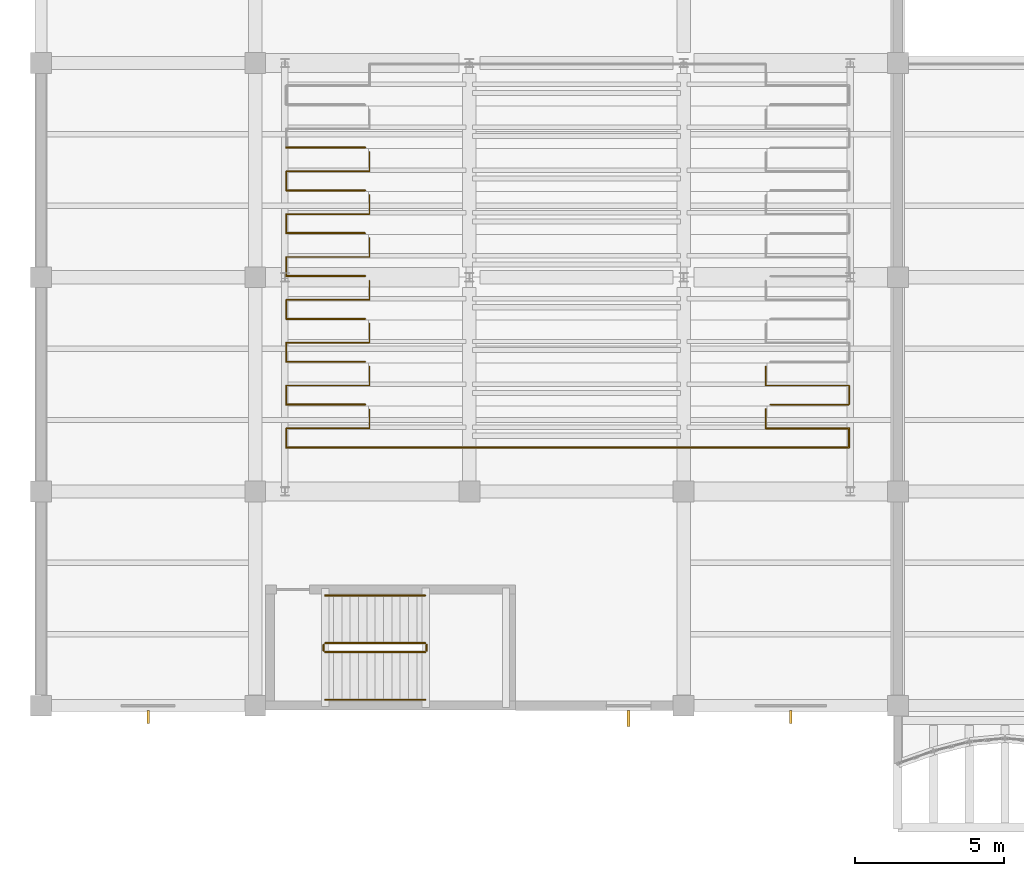
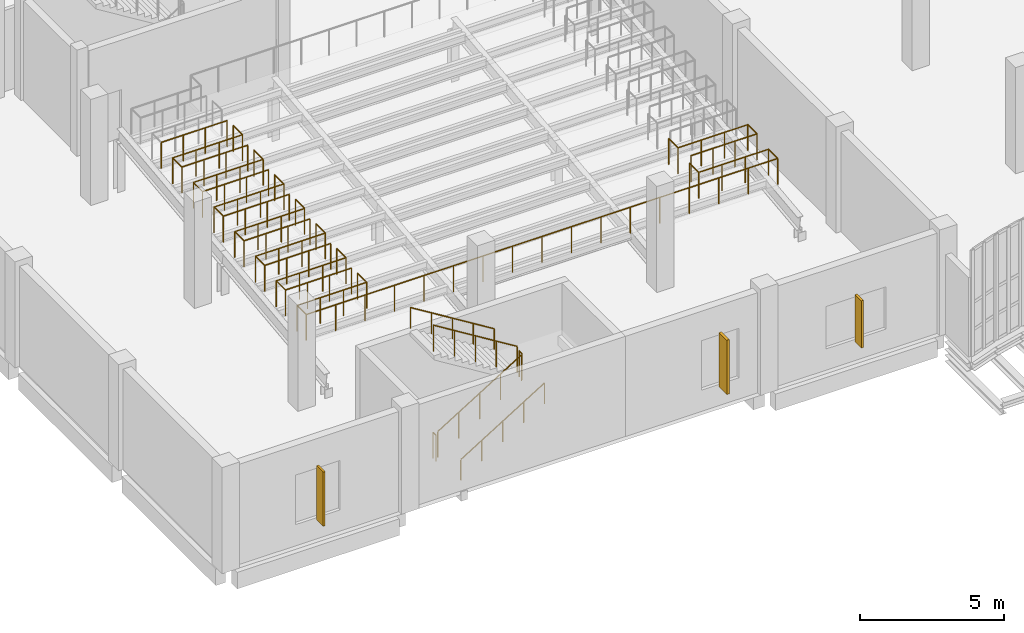
# One storey, part 95 of 108: 22 railings, 3 shading devices.
"""IFC4 building model written with IfcOpenShell, lengths in metres."""

from ifc_helpers import new_model, si_unit, direction, frame, origin, origin_2d, place, context, subcontext, project, spatial, rectangle, circle, extrude, material, type_object, element, save


model = new_model("IFC4")

# Units and contexts
model_context = context("Model", 3, precision=1e-05, world=origin(), true_north=direction((0.0, 1.0)))
body_context = subcontext(model_context, "Body", "Model", "MODEL_VIEW")
ifc_project = project(units=[si_unit("LENGTHUNIT", "METRE"), si_unit("AREAUNIT", "SQUARE_METRE"), si_unit("VOLUMEUNIT", "CUBIC_METRE"), si_unit("PLANEANGLEUNIT", "RADIAN"), si_unit("MASSUNIT", "GRAM", prefix="KILO"), si_unit("THERMODYNAMICTEMPERATUREUNIT", "KELVIN"), si_unit("POWERUNIT", "WATT")], contexts=[model_context])

# Site, building, storey
site_placement = place(None, origin())
site = spatial("IfcSite", under=ifc_project, at=site_placement, CompositionType="ELEMENT")
building_placement = place(site_placement, origin())
building = spatial("IfcBuilding", under=site, at=building_placement, Name="Kaldorven Railside Theatre", CompositionType="ELEMENT")
storey_placement = place(building_placement, frame((0.0, 0.0, 5.39990234375)))
storey = spatial("IfcBuildingStorey", under=building, at=storey_placement, Name="L01", CompositionType="ELEMENT", Elevation=5.39990234375)

# Railings
ifc_material_1 = material(Name="Anodised bronze aluminium", Category="aluminium")
railing_type_1 = type_object("IfcRailingType", Name="RLG-BAL-1100", PredefinedType="BALUSTRADE", material=ifc_material_1)
railing_1_placement = place(storey_placement, frame((16.239990234375, 27.8798828125, 1.420166015625)))
element("IfcRailing", 1, at=railing_1_placement, inside=storey, type_object=railing_type_1, Name="L01 Auditorium Tier Safety Guard GR-069", PredefinedType="BALUSTRADE", context=body_context, shape_type="SweptSolid", body=[
    extrude(circle(Radius=0.02392578125, at=origin_2d()), frame((0.0, 0.0, 1.09619140625), z_axis=(0.0, 1.0, 0.0), x_axis=(-1.0, 0.0, 0.0)), (0.0, 0.0, 1.0), 0.64013671875),
    extrude(circle(Radius=0.02392578125, at=origin_2d()), frame((0.0, 0.64013671875, 1.09619140625), z_axis=(1.0, 0.0, 0.0), x_axis=(0.0, 1.0, 0.0)), (0.0, 0.0, 1.0), 2.800048828125),
    extrude(circle(Radius=0.02392578125, at=origin_2d()), frame((2.800048828125, 0.64013671875, 1.09619140625), z_axis=(0.0, 1.0, 0.0), x_axis=(-1.0, 0.0, 0.0)), (0.0, 0.0, 1.0), 0.639892578125),
    extrude(circle(Radius=0.02099609375, at=origin_2d()), origin(), (0.0, 0.0, 1.0), 1.072021484375),
    extrude(circle(Radius=0.02099609375, at=origin_2d()), frame((0.0, 0.64013671875, 0.0)), (0.0, 0.0, 1.0), 1.072021484375),
    extrude(circle(Radius=0.02099609375, at=origin_2d()), frame((0.933349609375, 0.64013671875, 0.0)), (0.0, 0.0, 1.0), 1.072021484375),
    extrude(circle(Radius=0.02099609375, at=origin_2d()), frame((1.86669921875, 0.64013671875, 0.0)), (0.0, 0.0, 1.0), 1.072021484375),
    extrude(circle(Radius=0.02099609375, at=origin_2d()), frame((2.800048828125, 0.64013671875, 0.0)), (0.0, 0.0, 1.0), 1.072021484375),
    extrude(circle(Radius=0.02099609375, at=origin_2d()), frame((2.800048828125, 1.280029296875, 0.0)), (0.0, 0.0, 1.0), 1.072021484375),
])
railing_2_placement = place(storey_placement, frame((32.360107421875, 29.159912109375, 1.420166015625)))
element("IfcRailing", 2, at=railing_2_placement, inside=storey, type_object=railing_type_1, Name="L01 Auditorium Tier Safety Guard GR-070", PredefinedType="BALUSTRADE", context=body_context, shape_type="SweptSolid", body=[
    extrude(circle(Radius=0.02392578125, at=origin_2d()), frame((0.0, 0.0, 1.09619140625), z_axis=(0.0, -1.0, 0.0), x_axis=(1.0, 0.0, 0.0)), (0.0, 0.0, 1.0), 0.639892578125),
    extrude(circle(Radius=0.02392578125, at=origin_2d()), frame((0.0, -0.639892578125, 1.09619140625), z_axis=(1.0, 0.0, 0.0), x_axis=(0.0, 1.0, 0.0)), (0.0, 0.0, 1.0), 2.7998046875),
    extrude(circle(Radius=0.02392578125, at=origin_2d()), frame((2.7998046875, -0.639892578125, 1.09619140625), z_axis=(0.0, -1.0, 0.0), x_axis=(1.0, 0.0, 0.0)), (0.0, 0.0, 1.0), 0.64013671875),
    extrude(circle(Radius=0.02392578125, at=origin_2d()), frame((2.7998046875, -1.280029296875, 1.09619140625), z_axis=(-1.0, 0.0, 0.0), x_axis=(0.0, -1.0, 0.0)), (0.0, 0.0, 1.0), 18.919921875),
    extrude(circle(Radius=0.02099609375, at=origin_2d()), origin(), (0.0, 0.0, 1.0), 1.072021484375),
    extrude(circle(Radius=0.02099609375, at=origin_2d()), frame((0.0, -0.639892578125, 0.0)), (0.0, 0.0, 1.0), 1.072021484375),
    extrude(circle(Radius=0.02099609375, at=origin_2d()), frame((0.933349609375, -0.639892578125, 0.0)), (0.0, 0.0, 1.0), 1.072021484375),
    extrude(circle(Radius=0.02099609375, at=origin_2d()), frame((1.866455078125, -0.639892578125, 0.0)), (0.0, 0.0, 1.0), 1.072021484375),
    extrude(circle(Radius=0.02099609375, at=origin_2d()), frame((2.7998046875, -0.639892578125, 0.0)), (0.0, 0.0, 1.0), 1.072021484375),
    extrude(circle(Radius=0.02099609375, at=origin_2d()), frame((2.7998046875, -1.280029296875, 0.0)), (0.0, 0.0, 1.0), 1.072021484375),
    extrude(circle(Radius=0.02099609375, at=origin_2d()), frame((1.6171875, -1.280029296875, 0.0)), (0.0, 0.0, 1.0), 1.072021484375),
    extrude(circle(Radius=0.02099609375, at=origin_2d()), frame((0.434814453125, -1.280029296875, 0.0)), (0.0, 0.0, 1.0), 1.072021484375),
    extrude(circle(Radius=0.02099609375, at=origin_2d()), frame((-0.74755859375, -1.280029296875, 0.0)), (0.0, 0.0, 1.0), 1.072021484375),
    extrude(circle(Radius=0.02099609375, at=origin_2d()), frame((-1.93017578125, -1.280029296875, 0.0)), (0.0, 0.0, 1.0), 1.072021484375),
    extrude(circle(Radius=0.02099609375, at=origin_2d()), frame((-3.11279296875, -1.280029296875, 0.0)), (0.0, 0.0, 1.0), 1.072021484375),
    extrude(circle(Radius=0.02099609375, at=origin_2d()), frame((-4.295166015625, -1.280029296875, 0.0)), (0.0, 0.0, 1.0), 1.072021484375),
    extrude(circle(Radius=0.02099609375, at=origin_2d()), frame((-5.4775390625, -1.280029296875, 0.0)), (0.0, 0.0, 1.0), 1.072021484375),
    extrude(circle(Radius=0.02099609375, at=origin_2d()), frame((-6.66015625, -1.280029296875, 0.0)), (0.0, 0.0, 1.0), 1.072021484375),
    extrude(circle(Radius=0.02099609375, at=origin_2d()), frame((-7.8427734375, -1.280029296875, 0.0)), (0.0, 0.0, 1.0), 1.072021484375),
    extrude(circle(Radius=0.02099609375, at=origin_2d()), frame((-9.025146484375, -1.280029296875, 0.0)), (0.0, 0.0, 1.0), 1.072021484375),
    extrude(circle(Radius=0.02099609375, at=origin_2d()), frame((-10.20751953125, -1.280029296875, 0.0)), (0.0, 0.0, 1.0), 1.072021484375),
    extrude(circle(Radius=0.02099609375, at=origin_2d()), frame((-11.39013671875, -1.280029296875, 0.0)), (0.0, 0.0, 1.0), 1.072021484375),
    extrude(circle(Radius=0.02099609375, at=origin_2d()), frame((-12.57275390625, -1.280029296875, 0.0)), (0.0, 0.0, 1.0), 1.072021484375),
    extrude(circle(Radius=0.02099609375, at=origin_2d()), frame((-13.755126953125, -1.280029296875, 0.0)), (0.0, 0.0, 1.0), 1.072021484375),
    extrude(circle(Radius=0.02099609375, at=origin_2d()), frame((-14.9375, -1.280029296875, 0.0)), (0.0, 0.0, 1.0), 1.072021484375),
    extrude(circle(Radius=0.02099609375, at=origin_2d()), frame((-16.1201171875, -1.280029296875, 0.0)), (0.0, 0.0, 1.0), 1.072021484375),
])
railing_3_placement = place(storey_placement, frame((16.239990234375, 29.320068359375, 1.590087890625)))
element("IfcRailing", 3, at=railing_3_placement, inside=storey, type_object=railing_type_1, Name="L01 Auditorium Tier Safety Guard GR-071", PredefinedType="BALUSTRADE", context=body_context, shape_type="SweptSolid", body=[
    extrude(circle(Radius=0.02392578125, at=origin_2d()), frame((0.0, 0.0, 1.09619140625), z_axis=(0.0, 1.0, 0.0), x_axis=(-1.0, 0.0, 0.0)), (0.0, 0.0, 1.0), 0.639892578125),
    extrude(circle(Radius=0.02392578125, at=origin_2d()), frame((0.0, 0.639892578125, 1.09619140625), z_axis=(1.0, 0.0, 0.0), x_axis=(0.0, 1.0, 0.0)), (0.0, 0.0, 1.0), 2.800048828125),
    extrude(circle(Radius=0.02392578125, at=origin_2d()), frame((2.800048828125, 0.639892578125, 1.09619140625), z_axis=(0.0, 1.0, 0.0), x_axis=(-1.0, 0.0, 0.0)), (0.0, 0.0, 1.0), 0.64013671875),
    extrude(circle(Radius=0.02099609375, at=origin_2d()), origin(), (0.0, 0.0, 1.0), 1.072021484375),
    extrude(circle(Radius=0.02099609375, at=origin_2d()), frame((0.0, 0.639892578125, 0.0)), (0.0, 0.0, 1.0), 1.072021484375),
    extrude(circle(Radius=0.02099609375, at=origin_2d()), frame((0.933349609375, 0.639892578125, 0.0)), (0.0, 0.0, 1.0), 1.072021484375),
    extrude(circle(Radius=0.02099609375, at=origin_2d()), frame((1.86669921875, 0.639892578125, 0.0)), (0.0, 0.0, 1.0), 1.072021484375),
    extrude(circle(Radius=0.02099609375, at=origin_2d()), frame((2.800048828125, 0.639892578125, 0.0)), (0.0, 0.0, 1.0), 1.072021484375),
    extrude(circle(Radius=0.02099609375, at=origin_2d()), frame((2.800048828125, 1.280029296875, 0.0)), (0.0, 0.0, 1.0), 1.072021484375),
])
railing_4_placement = place(storey_placement, frame((32.360107421875, 30.60009765625, 1.590087890625)))
element("IfcRailing", 4, at=railing_4_placement, inside=storey, type_object=railing_type_1, Name="L01 Auditorium Tier Safety Guard GR-072", PredefinedType="BALUSTRADE", context=body_context, shape_type="SweptSolid", body=[
    extrude(circle(Radius=0.02392578125, at=origin_2d()), frame((0.0, 0.0, 1.09619140625), z_axis=(0.0, -1.0, 0.0), x_axis=(1.0, 0.0, 0.0)), (0.0, 0.0, 1.0), 0.64013671875),
    extrude(circle(Radius=0.02392578125, at=origin_2d()), frame((0.0, -0.64013671875, 1.09619140625), z_axis=(1.0, 0.0, 0.0), x_axis=(0.0, 1.0, 0.0)), (0.0, 0.0, 1.0), 2.7998046875),
    extrude(circle(Radius=0.02392578125, at=origin_2d()), frame((2.7998046875, -0.64013671875, 1.09619140625), z_axis=(0.0, -1.0, 0.0), x_axis=(1.0, 0.0, 0.0)), (0.0, 0.0, 1.0), 0.639892578125),
    extrude(circle(Radius=0.02392578125, at=origin_2d()), frame((2.7998046875, -1.280029296875, 1.09619140625), z_axis=(-1.0, 0.0, 0.0), x_axis=(0.0, -1.0, 0.0)), (0.0, 0.0, 1.0), 2.64697265625),
    extrude(circle(Radius=0.02099609375, at=origin_2d()), origin(), (0.0, 0.0, 1.0), 1.072021484375),
    extrude(circle(Radius=0.02099609375, at=origin_2d()), frame((0.0, -0.64013671875, 0.0)), (0.0, 0.0, 1.0), 1.072021484375),
    extrude(circle(Radius=0.02099609375, at=origin_2d()), frame((0.933349609375, -0.64013671875, 0.0)), (0.0, 0.0, 1.0), 1.072021484375),
    extrude(circle(Radius=0.02099609375, at=origin_2d()), frame((1.866455078125, -0.64013671875, 0.0)), (0.0, 0.0, 1.0), 1.072021484375),
    extrude(circle(Radius=0.02099609375, at=origin_2d()), frame((2.7998046875, -0.64013671875, 0.0)), (0.0, 0.0, 1.0), 1.072021484375),
    extrude(circle(Radius=0.02099609375, at=origin_2d()), frame((2.7998046875, -1.280029296875, 0.0)), (0.0, 0.0, 1.0), 1.072021484375),
    extrude(circle(Radius=0.02099609375, at=origin_2d()), frame((1.91748046875, -1.280029296875, 0.0)), (0.0, 0.0, 1.0), 1.072021484375),
    extrude(circle(Radius=0.02099609375, at=origin_2d()), frame((1.03515625, -1.280029296875, 0.0)), (0.0, 0.0, 1.0), 1.072021484375),
    extrude(circle(Radius=0.02099609375, at=origin_2d()), frame((0.15283203125, -1.280029296875, 0.0)), (0.0, 0.0, 1.0), 1.072021484375),
])
railing_5_placement = place(storey_placement, frame((18.886962890625, 29.320068359375, 1.590087890625)))
element("IfcRailing", 5, at=railing_5_placement, inside=storey, type_object=railing_type_1, Name="L01 Auditorium Tier Safety Guard GR-073", PredefinedType="BALUSTRADE", context=body_context, shape_type="SweptSolid", body=[
    extrude(circle(Radius=0.02392578125, at=origin_2d()), frame((0.0, 0.0, 1.09619140625), z_axis=(-1.0, 0.0, 0.0), x_axis=(0.0, -1.0, 0.0)), (0.0, 0.0, 1.0), 2.64697265625),
    extrude(circle(Radius=0.02099609375, at=origin_2d()), origin(), (0.0, 0.0, 1.0), 1.072021484375),
    extrude(circle(Radius=0.02099609375, at=origin_2d()), frame((-0.88232421875, 0.0, 0.0)), (0.0, 0.0, 1.0), 1.072021484375),
    extrude(circle(Radius=0.02099609375, at=origin_2d()), frame((-1.7646484375, 0.0, 0.0)), (0.0, 0.0, 1.0), 1.072021484375),
    extrude(circle(Radius=0.02099609375, at=origin_2d()), frame((-2.64697265625, 0.0, 0.0)), (0.0, 0.0, 1.0), 1.072021484375),
])
railing_6_placement = place(storey_placement, frame((16.239990234375, 30.760009765625, 1.760009765625)))
element("IfcRailing", 6, at=railing_6_placement, inside=storey, type_object=railing_type_1, Name="L01 Auditorium Tier Safety Guard GR-074", PredefinedType="BALUSTRADE", context=body_context, shape_type="SweptSolid", body=[
    extrude(circle(Radius=0.02392578125, at=origin_2d()), frame((0.0, 0.0, 1.09619140625), z_axis=(0.0, 1.0, 0.0), x_axis=(-1.0, 0.0, 0.0)), (0.0, 0.0, 1.0), 0.639892578125),
    extrude(circle(Radius=0.02392578125, at=origin_2d()), frame((0.0, 0.639892578125, 1.09619140625), z_axis=(1.0, 0.0, 0.0), x_axis=(0.0, 1.0, 0.0)), (0.0, 0.0, 1.0), 2.800048828125),
    extrude(circle(Radius=0.02392578125, at=origin_2d()), frame((2.800048828125, 0.639892578125, 1.09619140625), z_axis=(0.0, 1.0, 0.0), x_axis=(-1.0, 0.0, 0.0)), (0.0, 0.0, 1.0), 0.64013671875),
    extrude(circle(Radius=0.02099609375, at=origin_2d()), origin(), (0.0, 0.0, 1.0), 1.072021484375),
    extrude(circle(Radius=0.02099609375, at=origin_2d()), frame((0.0, 0.639892578125, 0.0)), (0.0, 0.0, 1.0), 1.072021484375),
    extrude(circle(Radius=0.02099609375, at=origin_2d()), frame((0.933349609375, 0.639892578125, 0.0)), (0.0, 0.0, 1.0), 1.072021484375),
    extrude(circle(Radius=0.02099609375, at=origin_2d()), frame((1.86669921875, 0.639892578125, 0.0)), (0.0, 0.0, 1.0), 1.072021484375),
    extrude(circle(Radius=0.02099609375, at=origin_2d()), frame((2.800048828125, 0.639892578125, 0.0)), (0.0, 0.0, 1.0), 1.072021484375),
    extrude(circle(Radius=0.02099609375, at=origin_2d()), frame((2.800048828125, 1.280029296875, 0.0)), (0.0, 0.0, 1.0), 1.072021484375),
])
railing_7_placement = place(storey_placement, frame((18.886962890625, 30.760009765625, 1.760009765625)))
element("IfcRailing", 7, at=railing_7_placement, inside=storey, type_object=railing_type_1, Name="L01 Auditorium Tier Safety Guard GR-076", PredefinedType="BALUSTRADE", context=body_context, shape_type="SweptSolid", body=[
    extrude(circle(Radius=0.02392578125, at=origin_2d()), frame((0.0, 0.0, 1.09619140625), z_axis=(-1.0, 0.0, 0.0), x_axis=(0.0, -1.0, 0.0)), (0.0, 0.0, 1.0), 2.64697265625),
    extrude(circle(Radius=0.02099609375, at=origin_2d()), origin(), (0.0, 0.0, 1.0), 1.072021484375),
    extrude(circle(Radius=0.02099609375, at=origin_2d()), frame((-0.88232421875, 0.0, 0.0)), (0.0, 0.0, 1.0), 1.072021484375),
    extrude(circle(Radius=0.02099609375, at=origin_2d()), frame((-1.7646484375, 0.0, 0.0)), (0.0, 0.0, 1.0), 1.072021484375),
    extrude(circle(Radius=0.02099609375, at=origin_2d()), frame((-2.64697265625, 0.0, 0.0)), (0.0, 0.0, 1.0), 1.072021484375),
])
railing_8_placement = place(storey_placement, frame((16.239990234375, 32.199951171875, 1.93017578125)))
element("IfcRailing", 8, at=railing_8_placement, inside=storey, type_object=railing_type_1, Name="L01 Auditorium Tier Safety Guard GR-077", PredefinedType="BALUSTRADE", context=body_context, shape_type="SweptSolid", body=[
    extrude(circle(Radius=0.02392578125, at=origin_2d()), frame((0.0, 0.0, 1.09619140625), z_axis=(0.0, 1.0, 0.0), x_axis=(-1.0, 0.0, 0.0)), (0.0, 0.0, 1.0), 0.64013671875),
    extrude(circle(Radius=0.02392578125, at=origin_2d()), frame((0.0, 0.64013671875, 1.09619140625), z_axis=(1.0, 0.0, 0.0), x_axis=(0.0, 1.0, 0.0)), (0.0, 0.0, 1.0), 2.800048828125),
    extrude(circle(Radius=0.02392578125, at=origin_2d()), frame((2.800048828125, 0.64013671875, 1.09619140625), z_axis=(0.0, 1.0, 0.0), x_axis=(-1.0, 0.0, 0.0)), (0.0, 0.0, 1.0), 0.639892578125),
    extrude(circle(Radius=0.02099609375, at=origin_2d()), origin(), (0.0, 0.0, 1.0), 1.072021484375),
    extrude(circle(Radius=0.02099609375, at=origin_2d()), frame((0.0, 0.64013671875, 0.0)), (0.0, 0.0, 1.0), 1.072021484375),
    extrude(circle(Radius=0.02099609375, at=origin_2d()), frame((0.933349609375, 0.64013671875, 0.0)), (0.0, 0.0, 1.0), 1.072021484375),
    extrude(circle(Radius=0.02099609375, at=origin_2d()), frame((1.86669921875, 0.64013671875, 0.0)), (0.0, 0.0, 1.0), 1.072021484375),
    extrude(circle(Radius=0.02099609375, at=origin_2d()), frame((2.800048828125, 0.64013671875, 0.0)), (0.0, 0.0, 1.0), 1.072021484375),
    extrude(circle(Radius=0.02099609375, at=origin_2d()), frame((2.800048828125, 1.280029296875, 0.0)), (0.0, 0.0, 1.0), 1.072021484375),
])
railing_9_placement = place(storey_placement, frame((18.886962890625, 32.199951171875, 1.93017578125)))
element("IfcRailing", 9, at=railing_9_placement, inside=storey, type_object=railing_type_1, Name="L01 Auditorium Tier Safety Guard GR-079", PredefinedType="BALUSTRADE", context=body_context, shape_type="SweptSolid", body=[
    extrude(circle(Radius=0.02392578125, at=origin_2d()), frame((0.0, 0.0, 1.09619140625), z_axis=(-1.0, 0.0, 0.0), x_axis=(0.0, -1.0, 0.0)), (0.0, 0.0, 1.0), 2.64697265625),
    extrude(circle(Radius=0.02099609375, at=origin_2d()), origin(), (0.0, 0.0, 1.0), 1.072021484375),
    extrude(circle(Radius=0.02099609375, at=origin_2d()), frame((-0.88232421875, 0.0, 0.0)), (0.0, 0.0, 1.0), 1.072021484375),
    extrude(circle(Radius=0.02099609375, at=origin_2d()), frame((-1.7646484375, 0.0, 0.0)), (0.0, 0.0, 1.0), 1.072021484375),
    extrude(circle(Radius=0.02099609375, at=origin_2d()), frame((-2.64697265625, 0.0, 0.0)), (0.0, 0.0, 1.0), 1.072021484375),
])
railing_10_placement = place(storey_placement, frame((16.239990234375, 33.639892578125, 2.10009765625)))
element("IfcRailing", 10, at=railing_10_placement, inside=storey, type_object=railing_type_1, Name="L01 Auditorium Tier Safety Guard GR-080", PredefinedType="BALUSTRADE", context=body_context, shape_type="SweptSolid", body=[
    extrude(circle(Radius=0.02392578125, at=origin_2d()), frame((0.0, 0.0, 1.09619140625), z_axis=(0.0, 1.0, 0.0), x_axis=(-1.0, 0.0, 0.0)), (0.0, 0.0, 1.0), 0.64013671875),
    extrude(circle(Radius=0.02392578125, at=origin_2d()), frame((0.0, 0.64013671875, 1.09619140625), z_axis=(1.0, 0.0, 0.0), x_axis=(0.0, 1.0, 0.0)), (0.0, 0.0, 1.0), 2.800048828125),
    extrude(circle(Radius=0.02392578125, at=origin_2d()), frame((2.800048828125, 0.64013671875, 1.09619140625), z_axis=(0.0, 1.0, 0.0), x_axis=(-1.0, 0.0, 0.0)), (0.0, 0.0, 1.0), 0.639892578125),
    extrude(circle(Radius=0.02099609375, at=origin_2d()), origin(), (0.0, 0.0, 1.0), 1.072021484375),
    extrude(circle(Radius=0.02099609375, at=origin_2d()), frame((0.0, 0.64013671875, 0.0)), (0.0, 0.0, 1.0), 1.072021484375),
    extrude(circle(Radius=0.02099609375, at=origin_2d()), frame((0.933349609375, 0.64013671875, 0.0)), (0.0, 0.0, 1.0), 1.072021484375),
    extrude(circle(Radius=0.02099609375, at=origin_2d()), frame((1.86669921875, 0.64013671875, 0.0)), (0.0, 0.0, 1.0), 1.072021484375),
    extrude(circle(Radius=0.02099609375, at=origin_2d()), frame((2.800048828125, 0.64013671875, 0.0)), (0.0, 0.0, 1.0), 1.072021484375),
    extrude(circle(Radius=0.02099609375, at=origin_2d()), frame((2.800048828125, 1.280029296875, 0.0)), (0.0, 0.0, 1.0), 1.072021484375),
])
railing_11_placement = place(storey_placement, frame((18.886962890625, 33.639892578125, 2.10009765625)))
element("IfcRailing", 11, at=railing_11_placement, inside=storey, type_object=railing_type_1, Name="L01 Auditorium Tier Safety Guard GR-082", PredefinedType="BALUSTRADE", context=body_context, shape_type="SweptSolid", body=[
    extrude(circle(Radius=0.02392578125, at=origin_2d()), frame((0.0, 0.0, 1.09619140625), z_axis=(-1.0, 0.0, 0.0), x_axis=(0.0, -1.0, 0.0)), (0.0, 0.0, 1.0), 2.64697265625),
    extrude(circle(Radius=0.02099609375, at=origin_2d()), origin(), (0.0, 0.0, 1.0), 1.072021484375),
    extrude(circle(Radius=0.02099609375, at=origin_2d()), frame((-0.88232421875, 0.0, 0.0)), (0.0, 0.0, 1.0), 1.072021484375),
    extrude(circle(Radius=0.02099609375, at=origin_2d()), frame((-1.7646484375, 0.0, 0.0)), (0.0, 0.0, 1.0), 1.072021484375),
    extrude(circle(Radius=0.02099609375, at=origin_2d()), frame((-2.64697265625, 0.0, 0.0)), (0.0, 0.0, 1.0), 1.072021484375),
])
railing_12_placement = place(storey_placement, frame((16.239990234375, 35.080078125, 2.27001953125)))
element("IfcRailing", 12, at=railing_12_placement, inside=storey, type_object=railing_type_1, Name="L01 Auditorium Tier Safety Guard GR-083", PredefinedType="BALUSTRADE", context=body_context, shape_type="SweptSolid", body=[
    extrude(circle(Radius=0.02392578125, at=origin_2d()), frame((0.0, 0.0, 1.09619140625), z_axis=(0.0, 1.0, 0.0), x_axis=(-1.0, 0.0, 0.0)), (0.0, 0.0, 1.0), 0.639892578125),
    extrude(circle(Radius=0.02392578125, at=origin_2d()), frame((0.0, 0.639892578125, 1.09619140625), z_axis=(1.0, 0.0, 0.0), x_axis=(0.0, 1.0, 0.0)), (0.0, 0.0, 1.0), 2.800048828125),
    extrude(circle(Radius=0.02392578125, at=origin_2d()), frame((2.800048828125, 0.639892578125, 1.09619140625), z_axis=(0.0, 1.0, 0.0), x_axis=(-1.0, 0.0, 0.0)), (0.0, 0.0, 1.0), 0.64013671875),
    extrude(circle(Radius=0.02099609375, at=origin_2d()), origin(), (0.0, 0.0, 1.0), 1.072021484375),
    extrude(circle(Radius=0.02099609375, at=origin_2d()), frame((0.0, 0.639892578125, 0.0)), (0.0, 0.0, 1.0), 1.072021484375),
    extrude(circle(Radius=0.02099609375, at=origin_2d()), frame((0.933349609375, 0.639892578125, 0.0)), (0.0, 0.0, 1.0), 1.072021484375),
    extrude(circle(Radius=0.02099609375, at=origin_2d()), frame((1.86669921875, 0.639892578125, 0.0)), (0.0, 0.0, 1.0), 1.072021484375),
    extrude(circle(Radius=0.02099609375, at=origin_2d()), frame((2.800048828125, 0.639892578125, 0.0)), (0.0, 0.0, 1.0), 1.072021484375),
    extrude(circle(Radius=0.02099609375, at=origin_2d()), frame((2.800048828125, 1.280029296875, 0.0)), (0.0, 0.0, 1.0), 1.072021484375),
])
railing_13_placement = place(storey_placement, frame((18.886962890625, 35.080078125, 2.27001953125)))
element("IfcRailing", 13, at=railing_13_placement, inside=storey, type_object=railing_type_1, Name="L01 Auditorium Tier Safety Guard GR-085", PredefinedType="BALUSTRADE", context=body_context, shape_type="SweptSolid", body=[
    extrude(circle(Radius=0.02392578125, at=origin_2d()), frame((0.0, 0.0, 1.09619140625), z_axis=(-1.0, 0.0, 0.0), x_axis=(0.0, -1.0, 0.0)), (0.0, 0.0, 1.0), 2.64697265625),
    extrude(circle(Radius=0.02099609375, at=origin_2d()), origin(), (0.0, 0.0, 1.0), 1.072021484375),
    extrude(circle(Radius=0.02099609375, at=origin_2d()), frame((-0.88232421875, 0.0, 0.0)), (0.0, 0.0, 1.0), 1.072021484375),
    extrude(circle(Radius=0.02099609375, at=origin_2d()), frame((-1.7646484375, 0.0, 0.0)), (0.0, 0.0, 1.0), 1.072021484375),
    extrude(circle(Radius=0.02099609375, at=origin_2d()), frame((-2.64697265625, 0.0, 0.0)), (0.0, 0.0, 1.0), 1.072021484375),
])
railing_14_placement = place(storey_placement, frame((16.239990234375, 36.52001953125, 2.440185546875)))
element("IfcRailing", 14, at=railing_14_placement, inside=storey, type_object=railing_type_1, Name="L01 Auditorium Tier Safety Guard GR-086", PredefinedType="BALUSTRADE", context=body_context, shape_type="SweptSolid", body=[
    extrude(circle(Radius=0.02392578125, at=origin_2d()), frame((0.0, 0.0, 1.09619140625), z_axis=(0.0, 1.0, 0.0), x_axis=(-1.0, 0.0, 0.0)), (0.0, 0.0, 1.0), 0.639892578125),
    extrude(circle(Radius=0.02392578125, at=origin_2d()), frame((0.0, 0.639892578125, 1.09619140625), z_axis=(1.0, 0.0, 0.0), x_axis=(0.0, 1.0, 0.0)), (0.0, 0.0, 1.0), 2.800048828125),
    extrude(circle(Radius=0.02392578125, at=origin_2d()), frame((2.800048828125, 0.639892578125, 1.09619140625), z_axis=(0.0, 1.0, 0.0), x_axis=(-1.0, 0.0, 0.0)), (0.0, 0.0, 1.0), 0.64013671875),
    extrude(circle(Radius=0.02099609375, at=origin_2d()), origin(), (0.0, 0.0, 1.0), 1.072021484375),
    extrude(circle(Radius=0.02099609375, at=origin_2d()), frame((0.0, 0.639892578125, 0.0)), (0.0, 0.0, 1.0), 1.072021484375),
    extrude(circle(Radius=0.02099609375, at=origin_2d()), frame((0.933349609375, 0.639892578125, 0.0)), (0.0, 0.0, 1.0), 1.072021484375),
    extrude(circle(Radius=0.02099609375, at=origin_2d()), frame((1.86669921875, 0.639892578125, 0.0)), (0.0, 0.0, 1.0), 1.072021484375),
    extrude(circle(Radius=0.02099609375, at=origin_2d()), frame((2.800048828125, 0.639892578125, 0.0)), (0.0, 0.0, 1.0), 1.072021484375),
    extrude(circle(Radius=0.02099609375, at=origin_2d()), frame((2.800048828125, 1.280029296875, 0.0)), (0.0, 0.0, 1.0), 1.072021484375),
])
for number, where, name in (
    (15, (18.886962890625, 36.52001953125, 2.440185546875), "L01 Auditorium Tier Safety Guard GR-088"),
    (16, (18.886962890625, 37.9599609375, 2.610107421875), "L01 Auditorium Tier Safety Guard GR-091"),
):
    element("IfcRailing", number, at=place(storey_placement, frame(where)), inside=storey, type_object=railing_type_1, Name=name, PredefinedType="BALUSTRADE", context=body_context, shape_type="SweptSolid", body=[
        extrude(circle(Radius=0.02392578125, at=origin_2d()), frame((0.0, 0.0, 1.09619140625), z_axis=(-1.0, 0.0, 0.0), x_axis=(0.0, -1.0, 0.0)), (0.0, 0.0, 1.0), 2.64697265625),
        extrude(circle(Radius=0.02099609375, at=origin_2d()), origin(), (0.0, 0.0, 1.0), 1.072021484375),
        extrude(circle(Radius=0.02099609375, at=origin_2d()), frame((-0.88232421875, 0.0, 0.0)), (0.0, 0.0, 1.0), 1.072021484375),
        extrude(circle(Radius=0.02099609375, at=origin_2d()), frame((-1.7646484375, 0.0, 0.0)), (0.0, 0.0, 1.0), 1.072021484375),
        extrude(circle(Radius=0.02099609375, at=origin_2d()), frame((-2.64697265625, 0.0, 0.0)), (0.0, 0.0, 1.0), 1.072021484375),
    ])
ifc_material_2 = material(Name="Steel S355", Category="steel")
railing_type_2 = type_object("IfcRailingType", Name="RLG-STG-1100", PredefinedType="BALUSTRADE", material=ifc_material_2)
railing_15_placement = place(storey_placement, frame((17.550048828125, 21.0, 0.173095703125)))
element("IfcRailing", 17, at=railing_15_placement, inside=storey, type_object=railing_type_2, Name="L01 ST-01 stair guard 1", PredefinedType="BALUSTRADE", context=body_context, shape_type="SweptSolid", body=[
    extrude(circle(Radius=0.02392578125, at=origin_2d()), frame((0.0, 0.0, 1.09619140625), z_axis=(0.850606129759, 0.0, 0.525803396734), x_axis=(0.0, 1.0, 0.0)), (0.0, 0.0, 1.0), 3.949951171875),
    extrude(circle(Radius=0.02099609375, at=origin_2d()), origin(), (0.0, 0.0, 1.0), 1.072021484375),
    extrude(circle(Radius=0.02099609375, at=origin_2d()), frame((0.83984375, 0.0, 0.519287109375)), (0.0, 0.0, 1.0), 1.072021484375),
    extrude(circle(Radius=0.02099609375, at=origin_2d()), frame((1.679931640625, 0.0, 1.03857421875)), (0.0, 0.0, 1.0), 1.072021484375),
    extrude(circle(Radius=0.02099609375, at=origin_2d()), frame((2.52001953125, 0.0, 1.5576171875)), (0.0, 0.0, 1.0), 1.072021484375),
    extrude(circle(Radius=0.02099609375, at=origin_2d()), frame((3.35986328125, 0.0, 2.076904296875)), (0.0, 0.0, 1.0), 1.072021484375),
])
railing_16_placement = place(storey_placement, frame((20.9599609375, 21.050048828125, 2.25)))
element("IfcRailing", 18, at=railing_16_placement, inside=storey, type_object=railing_type_2, Name="L01 ST-01 stair guard 2", PredefinedType="BALUSTRADE", context=body_context, shape_type="SweptSolid", body=[
    extrude(circle(Radius=0.02392578125, at=origin_2d()), frame((0.0, 0.0, 1.09619140625), z_axis=(0.0, 1.0, 0.0), x_axis=(-1.0, 0.0, 0.0)), (0.0, 0.0, 1.0), 0.199951171875),
    extrude(circle(Radius=0.02099609375, at=origin_2d()), origin(), (0.0, 0.0, 1.0), 1.072021484375),
    extrude(circle(Radius=0.02099609375, at=origin_2d()), frame((0.0, 0.199951171875, 0.0)), (0.0, 0.0, 1.0), 1.072021484375),
])
railing_17_placement = place(storey_placement, frame((20.909912109375, 21.300048828125, 2.423095703125)))
element("IfcRailing", 19, at=railing_17_placement, inside=storey, type_object=railing_type_2, Name="L01 ST-01 stair guard 3", PredefinedType="BALUSTRADE", context=body_context, shape_type="SweptSolid", body=[
    extrude(circle(Radius=0.02392578125, at=origin_2d()), frame((0.0, 0.0, 1.09619140625), z_axis=(-0.850606129759, 0.0, 0.525803396734), x_axis=(0.0, -1.0, 0.0)), (0.0, 0.0, 1.0), 3.949951171875),
    extrude(circle(Radius=0.02099609375, at=origin_2d()), origin(), (0.0, 0.0, 1.0), 1.072021484375),
    extrude(circle(Radius=0.02099609375, at=origin_2d()), frame((-0.83984375, 0.0, 0.519287109375)), (0.0, 0.0, 1.0), 1.072021484375),
    extrude(circle(Radius=0.02099609375, at=origin_2d()), frame((-1.679931640625, 0.0, 1.03857421875)), (0.0, 0.0, 1.0), 1.072021484375),
    extrude(circle(Radius=0.02099609375, at=origin_2d()), frame((-2.52001953125, 0.0, 1.5576171875)), (0.0, 0.0, 1.0), 1.072021484375),
    extrude(circle(Radius=0.02099609375, at=origin_2d()), frame((-3.35986328125, 0.0, 2.076904296875)), (0.0, 0.0, 1.0), 1.072021484375),
])
railing_18_placement = place(storey_placement, frame((17.5, 21.050048828125, 0.0)))
element("IfcRailing", 20, at=railing_18_placement, inside=storey, type_object=railing_type_2, Name="L01 ST-01 stair guard 4", PredefinedType="BALUSTRADE", context=body_context, shape_type="SweptSolid", body=[
    extrude(circle(Radius=0.02392578125, at=origin_2d()), frame((0.0, 0.0, 1.09619140625), z_axis=(0.0, 1.0, 0.0), x_axis=(-1.0, 0.0, 0.0)), (0.0, 0.0, 1.0), 0.199951171875),
    extrude(circle(Radius=0.02099609375, at=origin_2d()), origin(), (0.0, 0.0, 1.0), 1.072021484375),
    extrude(circle(Radius=0.02099609375, at=origin_2d()), frame((0.0, 0.199951171875, 0.0)), (0.0, 0.0, 1.0), 1.072021484375),
])
railing_type_3 = type_object("IfcRailingType", Name="RLG-STH-900", PredefinedType="HANDRAIL", material=ifc_material_2)
railing_19_placement = place(storey_placement, frame((17.550048828125, 19.39990234375, 0.173095703125)))
element("IfcRailing", 21, at=railing_19_placement, inside=storey, type_object=railing_type_3, Name="L01 ST-01 stair handrail 1", PredefinedType="HANDRAIL", context=body_context, shape_type="SweptSolid", body=[
    extrude(circle(Radius=0.02392578125, at=origin_2d()), frame((0.0, 0.0, 0.8759765625), z_axis=(0.850606129759, 0.0, 0.525803396734), x_axis=(0.0, 1.0, 0.0)), (0.0, 0.0, 1.0), 3.949951171875),
    extrude(circle(Radius=0.02099609375, at=origin_2d()), origin(), (0.0, 0.0, 1.0), 0.851806640625),
    extrude(circle(Radius=0.02099609375, at=origin_2d()), frame((0.83984375, 0.0, 0.519287109375)), (0.0, 0.0, 1.0), 0.851806640625),
    extrude(circle(Radius=0.02099609375, at=origin_2d()), frame((1.679931640625, 0.0, 1.03857421875)), (0.0, 0.0, 1.0), 0.851806640625),
    extrude(circle(Radius=0.02099609375, at=origin_2d()), frame((2.52001953125, 0.0, 1.5576171875)), (0.0, 0.0, 1.0), 0.851806640625),
    extrude(circle(Radius=0.02099609375, at=origin_2d()), frame((3.35986328125, 0.0, 2.076904296875)), (0.0, 0.0, 1.0), 0.851806640625),
])
railing_20_placement = place(storey_placement, frame((20.909912109375, 22.89990234375, 2.423095703125)))
element("IfcRailing", 22, at=railing_20_placement, inside=storey, type_object=railing_type_3, Name="L01 ST-01 stair handrail 2", PredefinedType="HANDRAIL", context=body_context, shape_type="SweptSolid", body=[
    extrude(circle(Radius=0.02392578125, at=origin_2d()), frame((0.0, 0.0, 0.8759765625), z_axis=(-0.850606129759, 0.0, 0.525803396734), x_axis=(0.0, -1.0, 0.0)), (0.0, 0.0, 1.0), 3.949951171875),
    extrude(circle(Radius=0.02099609375, at=origin_2d()), origin(), (0.0, 0.0, 1.0), 0.851806640625),
    extrude(circle(Radius=0.02099609375, at=origin_2d()), frame((-0.83984375, 0.0, 0.519287109375)), (0.0, 0.0, 1.0), 0.851806640625),
    extrude(circle(Radius=0.02099609375, at=origin_2d()), frame((-1.679931640625, 0.0, 1.03857421875)), (0.0, 0.0, 1.0), 0.851806640625),
    extrude(circle(Radius=0.02099609375, at=origin_2d()), frame((-2.52001953125, 0.0, 1.5576171875)), (0.0, 0.0, 1.0), 0.851806640625),
    extrude(circle(Radius=0.02099609375, at=origin_2d()), frame((-3.35986328125, 0.0, 2.076904296875)), (0.0, 0.0, 1.0), 0.851806640625),
])

# Shading devices
shading_device_type_1 = type_object("IfcShadingDeviceType", Name="SHD-FIN-01", PredefinedType="USERDEFINED", material=ifc_material_1)
shading_device_1_placement = place(storey_placement, frame((33.199951171875, 18.819091796875, 0.800048828125), z_axis=(0.0, 0.0, 1.0), x_axis=(-1.0, 0.0, 0.0)))
element("IfcShadingDevice", 23, at=shading_device_1_placement, inside=storey, type_object=shading_device_type_1, Name="Anodised-Bronze Brise-Soleil Fin FIN-007", ObjectType="SUNSHADE", PredefinedType="USERDEFINED", context=body_context, shape_type="SweptSolid", body=[
    extrude(rectangle(XDim=0.080078125, YDim=0.449951171875, at=origin_2d()), origin(), (0.0, 0.0, 1.0), 2.0),
])
shading_device_2_placement = place(storey_placement, frame((11.60009765625, 18.819091796875, 0.80029296875), z_axis=(0.0, 0.0, 1.0), x_axis=(-1.0, 0.0, 0.0)))
element("IfcShadingDevice", 24, at=shading_device_2_placement, inside=storey, type_object=shading_device_type_1, Name="Anodised-Bronze Brise-Soleil Fin FIN-009", ObjectType="SUNSHADE", PredefinedType="USERDEFINED", context=body_context, shape_type="SweptSolid", body=[
    extrude(rectangle(XDim=0.080078125, YDim=0.449951171875, at=origin_2d()), origin(), (0.0, 0.0, 1.0), 2.300048828125),
])
shading_device_type_2 = type_object("IfcShadingDeviceType", Name="SHD-FIN-02", PredefinedType="USERDEFINED", material=ifc_material_1)
shading_device_3_placement = place(storey_placement, frame((27.75, 18.76904296875, 0.80029296875), z_axis=(0.0, 0.0, 1.0), x_axis=(-1.0, 0.0, 0.0)))
element("IfcShadingDevice", 25, at=shading_device_3_placement, inside=storey, type_object=shading_device_type_2, Name="Anodised-Bronze Brise-Soleil Fin FIN-008", ObjectType="SUNSHADE", PredefinedType="USERDEFINED", context=body_context, shape_type="SweptSolid", body=[
    extrude(rectangle(XDim=0.10009765625, YDim=0.550048828125, at=origin_2d()), origin(), (0.0, 0.0, 1.0), 2.300048828125),
])

save(model, "model.ifc")
